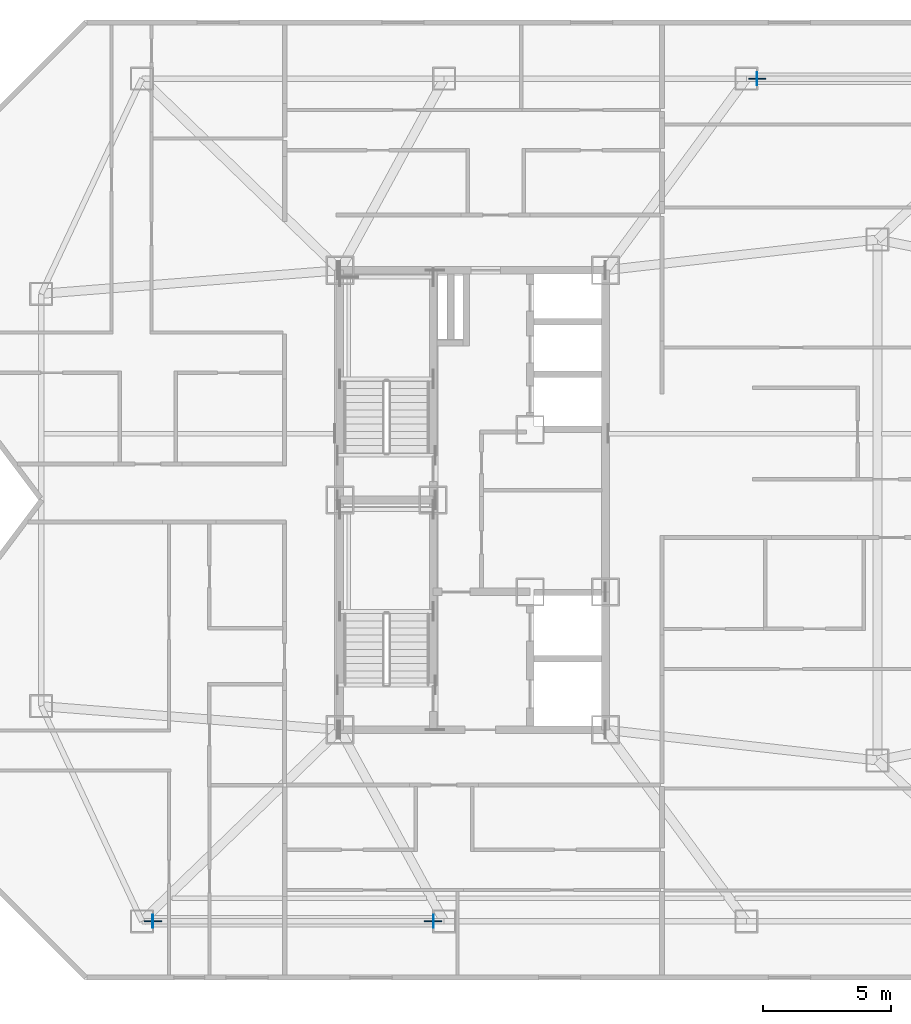
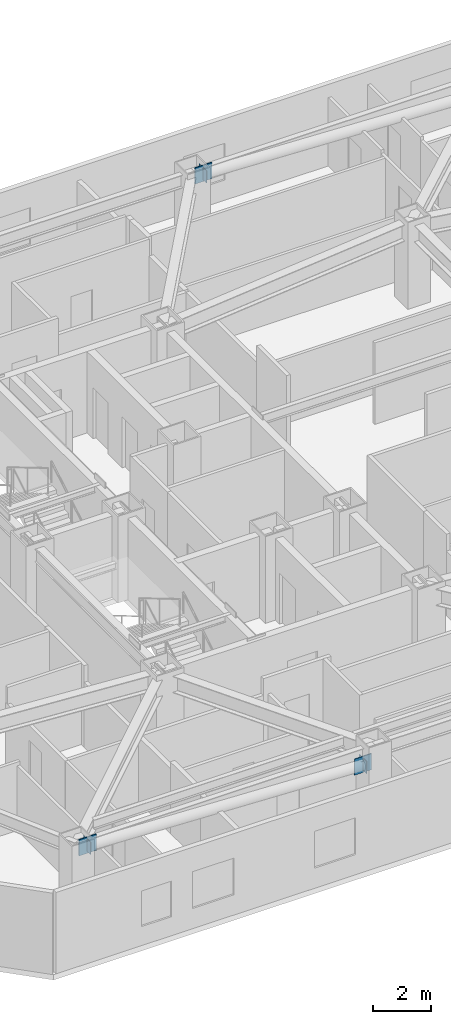
# One storey, part 3 of 11: 6 plates.
"""IFC4 building model written with IfcOpenShell, lengths in metres."""

from ifc_helpers import new_model, si_unit, direction, frame, origin, origin_2d, place, context, subcontext, project, spatial, rectangle, extrude, material, layer, layer_set, type_object, element, save


model = new_model("IFC4")

# Units and contexts
model_context = context("Model", 3, precision=1e-05, world=origin(), true_north=direction((0.0, 1.0)))
body_context = subcontext(model_context, "Body", "Model", "MODEL_VIEW")
ifc_project = project(units=[si_unit("LENGTHUNIT", "METRE"), si_unit("AREAUNIT", "SQUARE_METRE"), si_unit("VOLUMEUNIT", "CUBIC_METRE"), si_unit("PLANEANGLEUNIT", "RADIAN"), si_unit("MASSUNIT", "GRAM", prefix="KILO")], contexts=[model_context])

# Site, building, storey
site_placement = place(None, origin())
site = spatial("IfcSite", under=ifc_project, at=site_placement, CompositionType="ELEMENT")
building_placement = place(site_placement, origin())
building = spatial("IfcBuilding", under=site, at=building_placement, Name="Khamvora Tower", CompositionType="ELEMENT")
storey_placement = place(building_placement, frame((0.0, 0.0, 163.199951171875)))
storey = spatial("IfcBuildingStorey", under=building, at=storey_placement, Name="L41", CompositionType="ELEMENT", Elevation=163.199951171875)

# Plates
ifc_material_1 = material(Name="Steel S355", Category="steel")
ifc_layer_1 = layer(ifc_material_1, 0.02490234375)
ifc_layer_set_1 = layer_set([ifc_layer_1], Name="Steel S355")
plate_type_1 = type_object("IfcPlateType", Name="PL-CAP-25", PredefinedType="SHEET", material=ifc_layer_set_1)
for number, where, z_axis, x_axis, name in (
    (1, (32.6650390625, 11.5, 2.4384765625), (0.0, 0.0, 1.0), (-1.0, 0.0, 0.0), "L41 hollow section steel end cap plate 0944"),
    (2, (21.66796875, 11.5, 2.886474609375), (0.0, 0.0, 1.0), (-1.0, 0.0, 0.0), "L41 hollow section steel end cap plate 0945"),
    (3, (45.3349609375, 44.5, 2.886474609375), (0.0, 0.0, 1.0), (-1.0, 0.0, 0.0), "L41 hollow section steel end cap plate 0947"),
):
    element("IfcPlate", number, at=place(storey_placement, frame(where, z_axis=z_axis, x_axis=x_axis)), inside=storey, type_object=plate_type_1, Name=name, PredefinedType="SHEET", context=body_context, shape_type="SweptSolid", body=[
        extrude(rectangle(XDim=0.02490234375, YDim=0.51708984375, at=origin_2d()), origin(), (0.0, 0.0, 1.0), 0.51708984375),
    ])
ifc_material_2 = material(Name="Steel S460", Category="steel")
ifc_layer_2 = layer(ifc_material_2, 0.0400390625)
ifc_layer_set_2 = layer_set([ifc_layer_2], Name="Steel S460")
plate_type_2 = type_object("IfcPlateType", Name="PLT-GUS-40", PredefinedType="SHEET", material=ifc_layer_set_2)
for number, where, z_axis, x_axis, name in (
    (4, (32.653076171875, 11.5, 2.35791015625), (0.0, 0.0, 1.0), (1.0, 0.0, 0.0), "L41 brace connection node gusset plate 0281"),
    (5, (21.679931640625, 11.5, 2.80419921875), (0.0, 0.0, 1.0), (1.0, 0.0, 0.0), "L41 brace connection node gusset plate 0282"),
    (6, (45.346923828125, 44.5, 2.80419921875), (0.0, 0.0, 1.0), (1.0, 0.0, 0.0), "L41 brace connection node gusset plate 0284"),
):
    element("IfcPlate", number, at=place(storey_placement, frame(where, z_axis=z_axis, x_axis=x_axis)), inside=storey, type_object=plate_type_2, Name=name, PredefinedType="SHEET", context=body_context, shape_type="SweptSolid", body=[
        extrude(rectangle(XDim=0.679931640625, YDim=0.0400390625, at=origin_2d()), origin(), (0.0, 0.0, 1.0), 0.679931640625),
    ])

save(model, "model.ifc")
